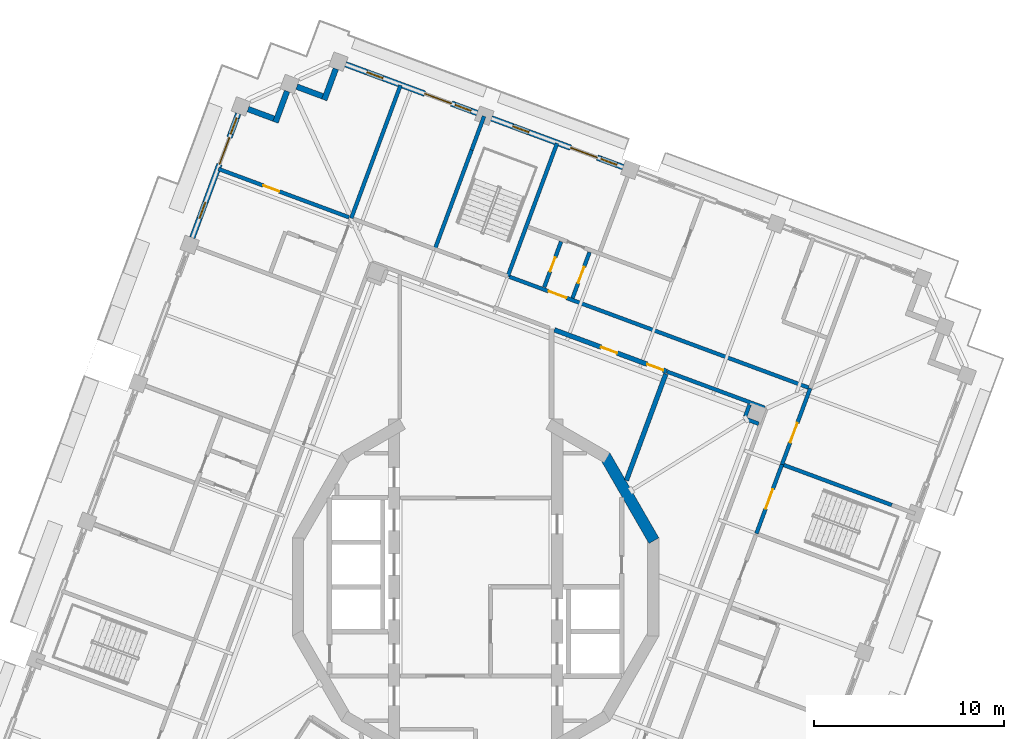
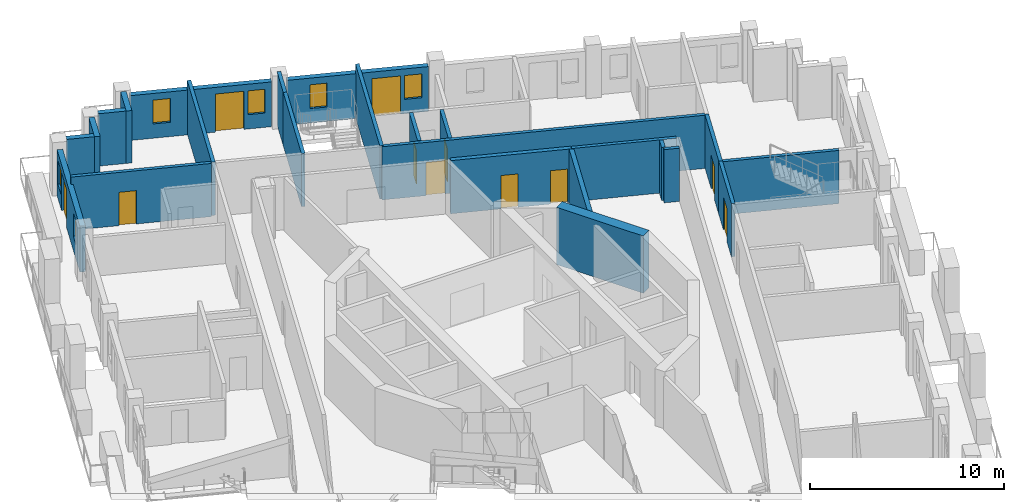
# One storey, part 10 of 19: 24 walls, 11 doors, 6 windows, 17 openings.
"""IFC4 building model written with IfcOpenShell, lengths in metres."""

from ifc_helpers import new_model, si_unit, direction, frame, frame_2d, origin, place, context, subcontext, project, spatial, rectangle, extrude, material, layer, layer_set, type_object, element, fill, save


model = new_model("IFC4")

# Units and contexts
model_context = context("Model", 3, precision=1e-05, world=origin(), true_north=direction((0.0, 1.0)))
body_context = subcontext(model_context, "Body", "Model", "MODEL_VIEW")
ifc_project = project(units=[si_unit("LENGTHUNIT", "METRE"), si_unit("AREAUNIT", "SQUARE_METRE"), si_unit("VOLUMEUNIT", "CUBIC_METRE"), si_unit("PLANEANGLEUNIT", "RADIAN"), si_unit("MASSUNIT", "GRAM", prefix="KILO")], contexts=[model_context])

# Site, building, storey
site_placement = place(None, origin())
site = spatial("IfcSite", under=ifc_project, at=site_placement, CompositionType="ELEMENT")
building_placement = place(site_placement, origin())
building = spatial("IfcBuilding", under=site, at=building_placement, Name="Cantera Rosa Tower", CompositionType="ELEMENT")
storey_placement = place(building_placement, frame((0.0, 0.0, 324.10009765625)))
storey = spatial("IfcBuildingStorey", under=building, at=storey_placement, Name="L72", CompositionType="ELEMENT", Elevation=324.10009765625)

# Wall
ifc_material_1 = material(Name="Gypsum board partition")
ifc_layer_1 = layer(ifc_material_1, 0.199951171875)
ifc_layer_set_1 = layer_set([ifc_layer_1], Name="CORRIDOR WALL 200 H3350")
wall_type_1 = type_object("IfcWallType", Name="CORRIDOR WALL 200 H3350", PredefinedType="PARTITIONING", material=ifc_layer_set_1)
wall_1_placement = place(storey_placement, frame((15.2314453125, 9.446044921875, 0.0), z_axis=(0.0, 0.0, 1.0), x_axis=(-0.93769339426, 0.347463808706, 0.0)))
element("IfcWall", 1, at=wall_1_placement, inside=storey, type_object=wall_type_1, Name="CORRIDOR WALL L72-099", PredefinedType="PARTITIONING", context=body_context, shape_type="SweptSolid", body=[
    extrude(rectangle(XDim=5.47998046875, YDim=0.199951171875, at=frame_2d((2.739990234375, 0.0))), origin(), (0.0, 0.0, 1.0), 3.349853515625),
])

# Wall, opening, door
wall_2_placement = place(storey_placement, frame((16.1513671875, 6.460205078125, 0.0), z_axis=(0.0, 0.0, 1.0), x_axis=(0.347438825371, 0.937702651497, 0.0)))
wall_2 = element("IfcWall", 2, at=wall_2_placement, inside=storey, type_object=wall_type_1, Name="CORRIDOR WALL L72-102", PredefinedType="PARTITIONING", context=body_context, shape_type="SweptSolid", body=[
    extrude(rectangle(XDim=4.280029296875, YDim=0.199951171875, at=frame_2d((2.14013671875, 0.0))), origin(), (0.0, 0.0, 1.0), 3.349853515625),
])
opening_1_placement = place(wall_2_placement, frame((1.22998046875, 0.0, 0.0)))
opening_1 = element("IfcOpeningElement", 3, at=opening_1_placement, cuts=wall_2, Name="Opening L72-046", PredefinedType="OPENING", context=body_context, shape_type="SweptSolid", body=[
    extrude(rectangle(XDim=1.10009765625, YDim=2.10009765625, at=frame_2d((0.550048828125, 1.050048828125))), frame((0.0, 0.10986328125, 0.0), z_axis=(0.0, -1.0, 0.0), x_axis=(1.0, 0.0, 0.0)), (0.0, 0.0, 1.0), 0.219970703125),
])
ifc_material_2 = material(Name="Timber door leaf", Category="wood")
door_type_1 = type_object("IfcDoorType", Name="ROOM DOOR 1100x2100", OperationType="NOTDEFINED", PredefinedType="DOOR", material=ifc_material_2)
door_1_placement = place(opening_1_placement, origin())
door_1 = element("IfcDoor", 4, at=door_1_placement, inside=storey, type_object=door_type_1, Name="DOOR L72-046", OperationType="NOTDEFINED", OverallHeight=2.10009765625, OverallWidth=1.10009765625, PredefinedType="DOOR", context=body_context, shape_type="SweptSolid", body=[
    extrude(rectangle(XDim=1.10009765625, YDim=2.10009765625, at=frame_2d((0.550048828125, 1.050048828125))), frame((0.0, 0.02490234375, 0.0), z_axis=(0.0, -1.0, 0.0), x_axis=(1.0, 0.0, 0.0)), (0.0, 0.0, 1.0), 0.050048828125),
])
fill(opening_1, door_1)

wall_3_placement = place(storey_placement, frame((17.544677734375, 10.50830078125, 0.0), z_axis=(0.0, 0.0, 1.0), x_axis=(-0.937684617113, 0.347487494493, 0.0)))
wall_3 = element("IfcWall", 5, at=wall_3_placement, inside=storey, type_object=wall_type_1, Name="CORRIDOR WALL L72-104", PredefinedType="PARTITIONING", context=body_context, shape_type="SweptSolid", body=[
    extrude(rectangle(XDim=16.900146484375, YDim=0.199951171875, at=frame_2d((8.4501953125, 0.0))), origin(), (0.0, 0.0, 1.0), 3.349853515625),
])
opening_2_placement = place(wall_3_placement, frame((13.60009765625, 0.0, 0.0)))
opening_2 = element("IfcOpeningElement", 6, at=opening_2_placement, cuts=wall_3, Name="Opening L72-020", PredefinedType="OPENING", context=body_context, shape_type="SweptSolid", body=[
    extrude(rectangle(XDim=1.0, YDim=2.10009765625, at=frame_2d((0.5, 1.050048828125))), frame((0.0, 0.10986328125, 0.0), z_axis=(0.0, -1.0, 0.0), x_axis=(1.0, 0.0, 0.0)), (0.0, 0.0, 1.0), 0.219970703125),
])
ifc_material_3 = material(Name="Timber door leaf", Category="wood")
door_type_2 = type_object("IfcDoorType", Name="ENTRANCE DOOR 1000x2100", OperationType="NOTDEFINED", PredefinedType="DOOR", material=ifc_material_3)
door_2_placement = place(opening_2_placement, origin())
door_2 = element("IfcDoor", 7, at=door_2_placement, inside=storey, type_object=door_type_2, Name="DOOR L72-020", OperationType="NOTDEFINED", OverallHeight=2.10009765625, OverallWidth=1.0, PredefinedType="DOOR", context=body_context, shape_type="SweptSolid", body=[
    extrude(rectangle(XDim=1.0, YDim=2.10009765625, at=frame_2d((0.5, 1.050048828125))), frame((0.0, 0.02490234375, 0.0), z_axis=(0.0, -1.0, 0.0), x_axis=(1.0, 0.0, 0.0)), (0.0, 0.0, 1.0), 0.050048828125),
])
fill(opening_2, door_2)

# Walls
ifc_material_4 = material(Name="Hollow clay masonry with cantera stone cladding", Category="masonry")
ifc_layer_2 = layer(ifc_material_4, 0.300048828125)
ifc_layer_set_2 = layer_set([ifc_layer_2], Name="EW-LOGGIA 300")
wall_type_2 = type_object("IfcWallType", Name="EW-LOGGIA 300", PredefinedType="SOLIDWALL", material=ifc_layer_set_2)
wall_4_placement = place(storey_placement, frame((-7.36865234375, 27.312255859375, 0.0), z_axis=(0.0, 0.0, 1.0), x_axis=(-0.34752790836, -0.937669639538, 0.0)))
element("IfcWall", 8, at=wall_4_placement, inside=storey, type_object=wall_type_2, Name="EN-L72-W05a", PredefinedType="SOLIDWALL", context=body_context, shape_type="SweptSolid", body=[
    extrude(rectangle(XDim=1.75, YDim=0.300048828125, at=frame_2d((0.875, 0.0))), origin(), (0.0, 0.0, 1.0), 3.2998046875),
])
wall_5_placement = place(storey_placement, frame((-8.065185546875, 25.8642578125, 0.0), z_axis=(0.0, 0.0, 1.0), x_axis=(-0.937671557958, 0.347522732201, 0.0)))
element("IfcWall", 9, at=wall_5_placement, inside=storey, type_object=wall_type_2, Name="EN-L72-W05b", PredefinedType="SOLIDWALL", context=body_context, shape_type="SweptSolid", body=[
    extrude(rectangle(XDim=1.449951171875, YDim=0.300048828125, at=frame_2d((0.72509765625, 0.0))), origin(), (0.0, 0.0, 1.0), 3.2998046875),
])
wall_6_placement = place(storey_placement, frame((-9.93896484375, 26.132080078125, 0.0), z_axis=(0.0, 0.0, 1.0), x_axis=(-0.34748245117, -0.937686486054, 0.0)))
element("IfcWall", 10, at=wall_6_placement, inside=storey, type_object=wall_type_2, Name="EN-L72-W06a", PredefinedType="SOLIDWALL", context=body_context, shape_type="SweptSolid", body=[
    extrude(rectangle(XDim=1.750244140625, YDim=0.300048828125, at=frame_2d((0.875, 0.0))), origin(), (0.0, 0.0, 1.0), 3.2998046875),
])
wall_7_placement = place(storey_placement, frame((-10.635498046875, 24.683837890625, 0.0), z_axis=(0.0, 0.0, 1.0), x_axis=(-0.937671557958, 0.347522732201, 0.0)))
element("IfcWall", 11, at=wall_7_placement, inside=storey, type_object=wall_type_2, Name="EN-L72-W06b", PredefinedType="SOLIDWALL", context=body_context, shape_type="SweptSolid", body=[
    extrude(rectangle(XDim=1.449951171875, YDim=0.300048828125, at=frame_2d((0.72509765625, 0.0))), origin(), (0.0, 0.0, 1.0), 3.2998046875),
])

# Wall, openings, windows, door
ifc_material_5 = material(Name="Hollow clay masonry with cantera stone cladding", Category="masonry")
ifc_layer_3 = layer(ifc_material_5, 0.300048828125)
ifc_layer_set_3 = layer_set([ifc_layer_3], Name="EW-LOGGIA 300 H2820")
wall_type_3 = type_object("IfcWallType", Name="EW-LOGGIA 300 H2820", PredefinedType="SOLIDWALL", material=ifc_layer_set_3)
wall_8_placement = place(storey_placement, frame((7.7734375, 22.127685546875, 0.0), z_axis=(0.0, 0.0, 1.0), x_axis=(-0.937680690562, 0.34749808999, 0.0)))
wall_8 = element("IfcWall", 12, at=wall_8_placement, inside=storey, type_object=wall_type_3, Name="EN-L72-W03", PredefinedType="SOLIDWALL", context=body_context, shape_type="SweptSolid", body=[
    extrude(rectangle(XDim=7.400146484375, YDim=0.300048828125, at=frame_2d((3.7001953125, 0.0))), origin(), (0.0, 0.0, 1.0), 2.81982421875),
])
opening_3_placement = place(wall_8_placement, frame((0.35009765625, 0.0, 0.89990234375)))
opening_3 = element("IfcOpeningElement", 13, at=opening_3_placement, cuts=wall_8, Name="Opening L72-W07", PredefinedType="OPENING", context=body_context, shape_type="SweptSolid", body=[
    extrude(rectangle(XDim=0.89990234375, YDim=1.5, at=frame_2d((0.449951171875, 0.75))), frame((0.0, 0.159912109375, 0.0), z_axis=(0.0, -1.0, 0.0), x_axis=(1.0, 0.0, 0.0)), (0.0, 0.0, 1.0), 0.320068359375),
])
opening_4_placement = place(wall_8_placement, frame((1.449951171875, 0.0, 0.0)))
opening_4 = element("IfcOpeningElement", 14, at=opening_4_placement, cuts=wall_8, Name="Opening L72-TD08", PredefinedType="OPENING", context=body_context, shape_type="SweptSolid", body=[
    extrude(rectangle(XDim=1.5, YDim=2.39990234375, at=frame_2d((0.75, 1.199951171875))), frame((0.0, 0.159912109375, 0.0), z_axis=(0.0, -1.0, 0.0), x_axis=(1.0, 0.0, 0.0)), (0.0, 0.0, 1.0), 0.320068359375),
])
opening_5_placement = place(wall_8_placement, frame((5.300048828125, 0.0, 0.89990234375)))
opening_5 = element("IfcOpeningElement", 15, at=opening_5_placement, cuts=wall_8, Name="Opening L72-W09", PredefinedType="OPENING", context=body_context, shape_type="SweptSolid", body=[
    extrude(rectangle(XDim=0.89990234375, YDim=1.5, at=frame_2d((0.449951171875, 0.75))), frame((0.0, 0.159912109375, 0.0), z_axis=(0.0, -1.0, 0.0), x_axis=(1.0, 0.0, 0.0)), (0.0, 0.0, 1.0), 0.320068359375),
])
ifc_material_6 = material(Name="Aluminium frame with clear glass", Category="aluminium")
window_type = type_object("IfcWindowType", Name="Residential window 900x1500", PartitioningType="SINGLE_PANEL", PredefinedType="WINDOW", material=ifc_material_6)
window_1_placement = place(opening_3_placement, origin())
window_1 = element("IfcWindow", 16, at=window_1_placement, inside=storey, type_object=window_type, Name="WINDOW L72-W07", OverallHeight=1.5, OverallWidth=0.89990234375, PartitioningType="SINGLE_PANEL", PredefinedType="WINDOW", context=body_context, shape_type="SweptSolid", body=[
    extrude(rectangle(XDim=0.89990234375, YDim=1.5, at=frame_2d((0.449951171875, 0.75))), frame((0.0, 0.030029296875, 0.0), z_axis=(0.0, -1.0, 0.0), x_axis=(1.0, 0.0, 0.0)), (0.0, 0.0, 1.0), 0.06005859375),
])
fill(opening_3, window_1)
window_2_placement = place(opening_5_placement, origin())
window_2 = element("IfcWindow", 17, at=window_2_placement, inside=storey, type_object=window_type, Name="WINDOW L72-W09", OverallHeight=1.5, OverallWidth=0.89990234375, PartitioningType="SINGLE_PANEL", PredefinedType="WINDOW", context=body_context, shape_type="SweptSolid", body=[
    extrude(rectangle(XDim=0.89990234375, YDim=1.5, at=frame_2d((0.449951171875, 0.75))), frame((0.0, 0.030029296875, 0.0), z_axis=(0.0, -1.0, 0.0), x_axis=(1.0, 0.0, 0.0)), (0.0, 0.0, 1.0), 0.06005859375),
])
fill(opening_5, window_2)
ifc_material_7 = material(Name="Aluminium frame with clear glass", Category="aluminium")
door_type_3 = type_object("IfcDoorType", Name="TD-R 1500x2400", OperationType="NOTDEFINED", PredefinedType="DOOR", material=ifc_material_7)
door_3_placement = place(opening_4_placement, origin())
door_3 = element("IfcDoor", 18, at=door_3_placement, inside=storey, type_object=door_type_3, Name="LOGGIA DOOR L72-TD08", OperationType="SLIDING_TO_LEFT", OverallHeight=2.39990234375, OverallWidth=1.5, PredefinedType="DOOR", context=body_context, shape_type="SweptSolid", body=[
    extrude(rectangle(XDim=1.5, YDim=2.39990234375, at=frame_2d((0.75, 1.199951171875))), frame((0.0, 0.02490234375, 0.0), z_axis=(0.0, -1.0, 0.0), x_axis=(1.0, 0.0, 0.0)), (0.0, 0.0, 1.0), 0.050048828125),
])
fill(opening_4, door_3)

wall_9_placement = place(storey_placement, frame((0.084228515625, 24.97705078125, 0.0), z_axis=(0.0, 0.0, 1.0), x_axis=(-0.937687456783, 0.347479831633, 0.0)))
wall_9 = element("IfcWall", 19, at=wall_9_placement, inside=storey, type_object=wall_type_3, Name="EN-L72-W04", PredefinedType="SOLIDWALL", context=body_context, shape_type="SweptSolid", body=[
    extrude(rectangle(XDim=7.39990234375, YDim=0.300048828125, at=frame_2d((3.699951171875, 0.0))), origin(), (0.0, 0.0, 1.0), 2.81982421875),
])
opening_6_placement = place(wall_9_placement, frame((0.35009765625, 0.0, 0.89990234375)))
opening_6 = element("IfcOpeningElement", 20, at=opening_6_placement, cuts=wall_9, Name="Opening L72-W10", PredefinedType="OPENING", context=body_context, shape_type="SweptSolid", body=[
    extrude(rectangle(XDim=0.89990234375, YDim=1.5, at=frame_2d((0.449951171875, 0.75))), frame((0.0, 0.159912109375, 0.0), z_axis=(0.0, -1.0, 0.0), x_axis=(1.0, 0.0, 0.0)), (0.0, 0.0, 1.0), 0.320068359375),
])
opening_7_placement = place(wall_9_placement, frame((1.449951171875, 0.0, 0.0)))
opening_7 = element("IfcOpeningElement", 21, at=opening_7_placement, cuts=wall_9, Name="Opening L72-TD11", PredefinedType="OPENING", context=body_context, shape_type="SweptSolid", body=[
    extrude(rectangle(XDim=1.5, YDim=2.39990234375, at=frame_2d((0.75, 1.199951171875))), frame((0.0, 0.159912109375, 0.0), z_axis=(0.0, -1.0, 0.0), x_axis=(1.0, 0.0, 0.0)), (0.0, 0.0, 1.0), 0.320068359375),
])
opening_8_placement = place(wall_9_placement, frame((5.300048828125, 0.0, 0.89990234375)))
opening_8 = element("IfcOpeningElement", 22, at=opening_8_placement, cuts=wall_9, Name="Opening L72-W12", PredefinedType="OPENING", context=body_context, shape_type="SweptSolid", body=[
    extrude(rectangle(XDim=0.89990234375, YDim=1.5, at=frame_2d((0.449951171875, 0.75))), frame((0.0, 0.159912109375, 0.0), z_axis=(0.0, -1.0, 0.0), x_axis=(1.0, 0.0, 0.0)), (0.0, 0.0, 1.0), 0.320068359375),
])
window_3_placement = place(opening_6_placement, origin())
window_3 = element("IfcWindow", 23, at=window_3_placement, inside=storey, type_object=window_type, Name="WINDOW L72-W10", OverallHeight=1.5, OverallWidth=0.89990234375, PartitioningType="SINGLE_PANEL", PredefinedType="WINDOW", context=body_context, shape_type="SweptSolid", body=[
    extrude(rectangle(XDim=0.89990234375, YDim=1.5, at=frame_2d((0.449951171875, 0.75))), frame((0.0, 0.030029296875, 0.0), z_axis=(0.0, -1.0, 0.0), x_axis=(1.0, 0.0, 0.0)), (0.0, 0.0, 1.0), 0.06005859375),
])
fill(opening_6, window_3)
window_4_placement = place(opening_8_placement, origin())
window_4 = element("IfcWindow", 24, at=window_4_placement, inside=storey, type_object=window_type, Name="WINDOW L72-W12", OverallHeight=1.5, OverallWidth=0.89990234375, PartitioningType="SINGLE_PANEL", PredefinedType="WINDOW", context=body_context, shape_type="SweptSolid", body=[
    extrude(rectangle(XDim=0.89990234375, YDim=1.5, at=frame_2d((0.449951171875, 0.75))), frame((0.0, 0.030029296875, 0.0), z_axis=(0.0, -1.0, 0.0), x_axis=(1.0, 0.0, 0.0)), (0.0, 0.0, 1.0), 0.06005859375),
])
fill(opening_8, window_4)
door_4_placement = place(opening_7_placement, origin())
door_4 = element("IfcDoor", 25, at=door_4_placement, inside=storey, type_object=door_type_3, Name="LOGGIA DOOR L72-TD11", OperationType="SLIDING_TO_LEFT", OverallHeight=2.39990234375, OverallWidth=1.5, PredefinedType="DOOR", context=body_context, shape_type="SweptSolid", body=[
    extrude(rectangle(XDim=1.5, YDim=2.39990234375, at=frame_2d((0.75, 1.199951171875))), frame((0.0, 0.02490234375, 0.0), z_axis=(0.0, -1.0, 0.0), x_axis=(1.0, 0.0, 0.0)), (0.0, 0.0, 1.0), 0.050048828125),
])
fill(opening_7, door_4)

ifc_material_8 = material(Name="Hollow clay masonry with cantera stone cladding", Category="masonry")
ifc_layer_4 = layer(ifc_material_8, 0.300048828125)
ifc_layer_set_4 = layer_set([ifc_layer_4], Name="EW-LOGGIA 300 H2890")
wall_type_4 = type_object("IfcWallType", Name="EW-LOGGIA 300 H2890", PredefinedType="SOLIDWALL", material=ifc_layer_set_4)
wall_10_placement = place(storey_placement, frame((-12.50927734375, 24.95166015625, 0.0), z_axis=(0.0, 0.0, 1.0), x_axis=(-0.347490919506, -0.937683347864, 0.0)))
wall_10 = element("IfcWall", 26, at=wall_10_placement, inside=storey, type_object=wall_type_4, Name="EN-L72-W07", PredefinedType="SOLIDWALL", context=body_context, shape_type="SweptSolid", body=[
    extrude(rectangle(XDim=6.980224609375, YDim=0.300048828125, at=frame_2d((3.490234375, 0.0))), origin(), (0.0, 0.0, 1.0), 2.889892578125),
])
opening_9_placement = place(wall_10_placement, frame((0.2451171875, 0.0, 0.89990234375)))
opening_9 = element("IfcOpeningElement", 27, at=opening_9_placement, cuts=wall_10, Name="Opening L72-W13", PredefinedType="OPENING", context=body_context, shape_type="SweptSolid", body=[
    extrude(rectangle(XDim=0.89990234375, YDim=1.5, at=frame_2d((0.449951171875, 0.75))), frame((0.0, 0.159912109375, 0.0), z_axis=(0.0, -1.0, 0.0), x_axis=(1.0, 0.0, 0.0)), (0.0, 0.0, 1.0), 0.320068359375),
])
opening_10_placement = place(wall_10_placement, frame((1.344970703125, 0.0, 0.0)))
opening_10 = element("IfcOpeningElement", 28, at=opening_10_placement, cuts=wall_10, Name="Opening L72-TD14", PredefinedType="OPENING", context=body_context, shape_type="SweptSolid", body=[
    extrude(rectangle(XDim=1.5, YDim=2.39990234375, at=frame_2d((0.75, 1.199951171875))), frame((0.0, 0.159912109375, 0.0), z_axis=(0.0, -1.0, 0.0), x_axis=(1.0, 0.0, 0.0)), (0.0, 0.0, 1.0), 0.320068359375),
])
opening_11_placement = place(wall_10_placement, frame((4.985107421875, 0.0, 0.89990234375)))
opening_11 = element("IfcOpeningElement", 29, at=opening_11_placement, cuts=wall_10, Name="Opening L72-W15", PredefinedType="OPENING", context=body_context, shape_type="SweptSolid", body=[
    extrude(rectangle(XDim=0.89990234375, YDim=1.5, at=frame_2d((0.449951171875, 0.75))), frame((0.0, 0.159912109375, 0.0), z_axis=(0.0, -1.0, 0.0), x_axis=(1.0, 0.0, 0.0)), (0.0, 0.0, 1.0), 0.320068359375),
])
window_5_placement = place(opening_9_placement, origin())
window_5 = element("IfcWindow", 30, at=window_5_placement, inside=storey, type_object=window_type, Name="WINDOW L72-W13", OverallHeight=1.5, OverallWidth=0.89990234375, PartitioningType="SINGLE_PANEL", PredefinedType="WINDOW", context=body_context, shape_type="SweptSolid", body=[
    extrude(rectangle(XDim=0.89990234375, YDim=1.5, at=frame_2d((0.449951171875, 0.75))), frame((0.0, 0.030029296875, 0.0), z_axis=(0.0, -1.0, 0.0), x_axis=(1.0, 0.0, 0.0)), (0.0, 0.0, 1.0), 0.06005859375),
])
fill(opening_9, window_5)
window_6_placement = place(opening_11_placement, origin())
window_6 = element("IfcWindow", 31, at=window_6_placement, inside=storey, type_object=window_type, Name="WINDOW L72-W15", OverallHeight=1.5, OverallWidth=0.89990234375, PartitioningType="SINGLE_PANEL", PredefinedType="WINDOW", context=body_context, shape_type="SweptSolid", body=[
    extrude(rectangle(XDim=0.89990234375, YDim=1.5, at=frame_2d((0.449951171875, 0.75))), frame((0.0, 0.030029296875, 0.0), z_axis=(0.0, -1.0, 0.0), x_axis=(1.0, 0.0, 0.0)), (0.0, 0.0, 1.0), 0.06005859375),
])
fill(opening_11, window_6)
door_5_placement = place(opening_10_placement, origin())
door_5 = element("IfcDoor", 32, at=door_5_placement, inside=storey, type_object=door_type_3, Name="LOGGIA DOOR L72-TD14", OperationType="SLIDING_TO_LEFT", OverallHeight=2.39990234375, OverallWidth=1.5, PredefinedType="DOOR", context=body_context, shape_type="SweptSolid", body=[
    extrude(rectangle(XDim=1.5, YDim=2.39990234375, at=frame_2d((0.75, 1.199951171875))), frame((0.0, 0.02490234375, 0.0), z_axis=(0.0, -1.0, 0.0), x_axis=(1.0, 0.0, 0.0)), (0.0, 0.0, 1.0), 0.050048828125),
])
fill(opening_10, door_5)

# Wall, opening, door
ifc_material_9 = material(Name="Gypsum board partition")
ifc_layer_5 = layer(ifc_material_9, 0.199951171875)
ifc_layer_set_5 = layer_set([ifc_layer_5], Name="PARTITION 200 H3350")
wall_type_5 = type_object("IfcWallType", Name="PARTITION 200 H3350", PredefinedType="PARTITIONING", material=ifc_layer_set_5)
wall_11_placement = place(storey_placement, frame((-6.66650390625, 19.480224609375, 0.0), z_axis=(0.0, 0.0, 1.0), x_axis=(-0.937685837181, 0.347484202159, 0.0)))
wall_11 = element("IfcWall", 33, at=wall_11_placement, inside=storey, type_object=wall_type_5, Name="PARTITION L72-038", PredefinedType="PARTITIONING", context=body_context, shape_type="SweptSolid", body=[
    extrude(rectangle(XDim=7.349853515625, YDim=0.199951171875, at=frame_2d((3.6748046875, 0.0))), origin(), (0.0, 0.0, 1.0), 3.349853515625),
])
opening_12_placement = place(wall_11_placement, frame((3.929931640625, 0.0, 0.0)))
opening_12 = element("IfcOpeningElement", 34, at=opening_12_placement, cuts=wall_11, Name="Opening L72-035", PredefinedType="OPENING", context=body_context, shape_type="SweptSolid", body=[
    extrude(rectangle(XDim=0.89990234375, YDim=2.10009765625, at=frame_2d((0.449951171875, 1.050048828125))), frame((0.0, 0.10986328125, 0.0), z_axis=(0.0, -1.0, 0.0), x_axis=(1.0, 0.0, 0.0)), (0.0, 0.0, 1.0), 0.219970703125),
])
ifc_material_10 = material(Name="Timber door leaf", Category="wood")
door_type_4 = type_object("IfcDoorType", Name="ROOM DOOR 900x2100", OperationType="NOTDEFINED", PredefinedType="DOOR", material=ifc_material_10)
door_6_placement = place(opening_12_placement, origin())
door_6 = element("IfcDoor", 35, at=door_6_placement, inside=storey, type_object=door_type_4, Name="DOOR L72-035", OperationType="NOTDEFINED", OverallHeight=2.10009765625, OverallWidth=0.89990234375, PredefinedType="DOOR", context=body_context, shape_type="SweptSolid", body=[
    extrude(rectangle(XDim=0.89990234375, YDim=2.10009765625, at=frame_2d((0.449951171875, 1.050048828125))), frame((0.0, 0.02490234375, 0.0), z_axis=(0.0, -1.0, 0.0), x_axis=(1.0, 0.0, 0.0)), (0.0, 0.0, 1.0), 0.050048828125),
])
fill(opening_12, door_6)

wall_12_placement = place(storey_placement, frame((4.50439453125, 18.19873046875, 0.0), z_axis=(0.0, 0.0, 1.0), x_axis=(-0.347441707582, -0.937701583571, 0.0)))
wall_12 = element("IfcWall", 36, at=wall_12_placement, inside=storey, type_object=wall_type_5, Name="PARTITION L72-072", PredefinedType="PARTITIONING", context=body_context, shape_type="SweptSolid", body=[
    extrude(rectangle(XDim=2.559814453125, YDim=0.199951171875, at=frame_2d((1.27978515625, 0.0))), origin(), (0.0, 0.0, 1.0), 3.349853515625),
])
opening_13_placement = place(wall_12_placement, frame((0.8798828125, 0.0, 0.0)))
opening_13 = element("IfcOpeningElement", 37, at=opening_13_placement, cuts=wall_12, Name="Opening L72-021", PredefinedType="OPENING", context=body_context, shape_type="SweptSolid", body=[
    extrude(rectangle(XDim=0.800048828125, YDim=2.10009765625, at=frame_2d((0.39990234375, 1.050048828125))), frame((0.0, 0.10986328125, 0.0), z_axis=(0.0, -1.0, 0.0), x_axis=(1.0, 0.0, 0.0)), (0.0, 0.0, 1.0), 0.219970703125),
])
ifc_material_11 = material(Name="Timber door leaf", Category="wood")
door_type_5 = type_object("IfcDoorType", Name="BATHROOM DOOR 800x2100", OperationType="NOTDEFINED", PredefinedType="DOOR", material=ifc_material_11)
door_7_placement = place(opening_13_placement, origin())
door_7 = element("IfcDoor", 38, at=door_7_placement, inside=storey, type_object=door_type_5, Name="DOOR L72-021", OperationType="NOTDEFINED", OverallHeight=2.10009765625, OverallWidth=0.800048828125, PredefinedType="DOOR", context=body_context, shape_type="SweptSolid", body=[
    extrude(rectangle(XDim=0.800048828125, YDim=2.10009765625, at=frame_2d((0.39990234375, 1.050048828125))), frame((0.0, 0.02490234375, 0.0), z_axis=(0.0, -1.0, 0.0), x_axis=(1.0, 0.0, 0.0)), (0.0, 0.0, 1.0), 0.050048828125),
])
fill(opening_13, door_7)

wall_13_placement = place(storey_placement, frame((6.004638671875, 17.642822265625, 0.0), z_axis=(0.0, 0.0, 1.0), x_axis=(-0.34748078016, -0.937687105286, 0.0)))
wall_13 = element("IfcWall", 39, at=wall_13_placement, inside=storey, type_object=wall_type_5, Name="PARTITION L72-080", PredefinedType="PARTITIONING", context=body_context, shape_type="SweptSolid", body=[
    extrude(rectangle(XDim=2.579833984375, YDim=0.199951171875, at=frame_2d((1.2900390625, 0.0))), origin(), (0.0, 0.0, 1.0), 3.349853515625),
])
opening_14_placement = place(wall_13_placement, frame((0.830078125, 0.0, 0.0)))
opening_14 = element("IfcOpeningElement", 40, at=opening_14_placement, cuts=wall_13, Name="Opening L72-022", PredefinedType="OPENING", context=body_context, shape_type="SweptSolid", body=[
    extrude(rectangle(XDim=0.89990234375, YDim=2.10009765625, at=frame_2d((0.449951171875, 1.050048828125))), frame((0.0, 0.10986328125, 0.0), z_axis=(0.0, -1.0, 0.0), x_axis=(1.0, 0.0, 0.0)), (0.0, 0.0, 1.0), 0.219970703125),
])
door_8_placement = place(opening_14_placement, origin())
door_8 = element("IfcDoor", 41, at=door_8_placement, inside=storey, type_object=door_type_4, Name="DOOR L72-022", OperationType="NOTDEFINED", OverallHeight=2.10009765625, OverallWidth=0.89990234375, PredefinedType="DOOR", context=body_context, shape_type="SweptSolid", body=[
    extrude(rectangle(XDim=0.89990234375, YDim=2.10009765625, at=frame_2d((0.449951171875, 1.050048828125))), frame((0.0, 0.02490234375, 0.0), z_axis=(0.0, -1.0, 0.0), x_axis=(1.0, 0.0, 0.0)), (0.0, 0.0, 1.0), 0.050048828125),
])
fill(opening_14, door_8)

# Walls
wall_14_placement = place(storey_placement, frame((14.16845703125, 8.8798828125, 0.0), z_axis=(0.0, 0.0, 1.0), x_axis=(0.937763484234, -0.347274599759, 0.0)))
element("IfcWall", 42, at=wall_14_placement, inside=storey, type_object=wall_type_5, Name="PARTITION L72-095", PredefinedType="PARTITIONING", context=body_context, shape_type="SweptSolid", body=[
    extrude(rectangle(XDim=0.800048828125, YDim=0.199951171875, at=frame_2d((0.39990234375, 0.0))), origin(), (0.0, 0.0, 1.0), 3.349853515625),
])
wall_15_placement = place(storey_placement, frame((14.439697265625, 9.611328125, 0.0), z_axis=(0.0, 0.0, 1.0), x_axis=(-0.347796331394, -0.937570110375, 0.0)))
element("IfcWall", 43, at=wall_15_placement, inside=storey, type_object=wall_type_5, Name="PARTITION L72-096", PredefinedType="PARTITIONING", context=body_context, shape_type="SweptSolid", body=[
    extrude(rectangle(XDim=0.659912109375, YDim=0.199951171875, at=frame_2d((0.330078125, 0.0))), origin(), (0.0, 0.0, 1.0), 3.349853515625),
])
ifc_material_12 = material(Name="Gypsum board partition")
ifc_layer_6 = layer(ifc_material_12, 0.199951171875)
ifc_layer_set_6 = layer_set([ifc_layer_6], Name="PARTY WALL 200 H3350")
wall_type_6 = type_object("IfcWallType", Name="PARTY WALL 200 H3350", PredefinedType="PARTITIONING", material=ifc_layer_set_6)
wall_16_placement = place(storey_placement, frame((-6.5537109375, 19.438720703125, 0.0), z_axis=(0.0, 0.0, 1.0), x_axis=(0.347460186276, 0.93769473655, 0.0)))
element("IfcWall", 44, at=wall_16_placement, inside=storey, type_object=wall_type_6, Name="PARTY WALL L72-039", PredefinedType="PARTITIONING", context=body_context, shape_type="SweptSolid", body=[
    extrude(rectangle(XDim=7.4697265625, YDim=0.199951171875, at=frame_2d((3.73486328125, 0.0))), origin(), (0.0, 0.0, 1.0), 3.349853515625),
])
ifc_material_13 = material(Name="Concrete C50/60", Category="concrete")
ifc_layer_7 = layer(ifc_material_13, 0.60009765625)
ifc_layer_set_7 = layer_set([ifc_layer_7], Name="RC CORE WALL 600 C50/60")
wall_type_7 = type_object("IfcWallType", Name="RC CORE WALL 600 C50/60", PredefinedType="SHEAR", material=ifc_layer_set_7)
wall_17_placement = place(storey_placement, frame((6.811279296875, 6.921142578125, 0.0), z_axis=(0.0, 0.0, 1.0), x_axis=(0.499989188378, -0.866031645787, 0.0)))
element("IfcWall", 45, at=wall_17_placement, inside=storey, type_object=wall_type_7, Name="CW-E2 L72", PredefinedType="SHEAR", context=body_context, shape_type="SweptSolid", body=[
    extrude(rectangle(XDim=5.17626953125, YDim=0.60009765625, at=frame_2d((2.588134765625, 0.0))), origin(), (0.0, 0.0, 1.0), 3.599853515625),
])
ifc_material_14 = material(Name="Masonry blockwork", Category="masonry")
ifc_layer_8 = layer(ifc_material_14, 0.25)
ifc_layer_set_8 = layer_set([ifc_layer_8], Name="SHAFT WALL 250 H3350")
wall_type_8 = type_object("IfcWallType", Name="SHAFT WALL 250 H3350", PredefinedType="SOLIDWALL", material=ifc_layer_set_8)
wall_18_placement = place(storey_placement, frame((7.9462890625, 5.614990234375, 0.0), z_axis=(0.0, 0.0, 1.0), x_axis=(0.347463184848, 0.937693625432, 0.0)))
element("IfcWall", 46, at=wall_18_placement, inside=storey, type_object=wall_type_8, Name="SHAFT WALL L72-086", PredefinedType="SOLIDWALL", context=body_context, shape_type="SweptSolid", body=[
    extrude(rectangle(XDim=5.983642578125, YDim=0.25, at=frame_2d((2.99169921875, 0.0))), origin(), (0.0, 0.0, 1.0), 3.349853515625),
])

# Wall, openings, doors
wall_19_placement = place(storey_placement, frame((10.07421875, 11.357177734375, 0.0), z_axis=(0.0, 0.0, 1.0), x_axis=(-0.937690947625, 0.347470411318, 0.0)))
wall_19 = element("IfcWall", 47, at=wall_19_placement, inside=storey, type_object=wall_type_8, Name="SHAFT WALL L72-089", PredefinedType="SOLIDWALL", context=body_context, shape_type="SweptSolid", body=[
    extrude(rectangle(XDim=6.31787109375, YDim=0.25, at=frame_2d((3.158935546875, 0.0))), origin(), (0.0, 0.0, 1.0), 3.349853515625),
])
opening_15_placement = place(wall_19_placement, frame((0.19775390625, 0.0, 0.0)))
opening_15 = element("IfcOpeningElement", 48, at=opening_15_placement, cuts=wall_19, Name="Opening L72-008", PredefinedType="OPENING", context=body_context, shape_type="SweptSolid", body=[
    extrude(rectangle(XDim=0.89990234375, YDim=2.10009765625, at=frame_2d((0.449951171875, 1.050048828125))), frame((0.0, 0.135009765625, 0.0), z_axis=(0.0, -1.0, 0.0), x_axis=(1.0, 0.0, 0.0)), (0.0, 0.0, 1.0), 0.27001953125),
])
opening_16_placement = place(wall_19_placement, frame((2.788818359375, 0.0, 0.0)))
opening_16 = element("IfcOpeningElement", 49, at=opening_16_placement, cuts=wall_19, Name="Opening L72-047", PredefinedType="OPENING", context=body_context, shape_type="SweptSolid", body=[
    extrude(rectangle(XDim=0.89990234375, YDim=2.10009765625, at=frame_2d((0.449951171875, 1.050048828125))), frame((0.0, 0.135009765625, 0.0), z_axis=(0.0, -1.0, 0.0), x_axis=(1.0, 0.0, 0.0)), (0.0, 0.0, 1.0), 0.27001953125),
])
ifc_material_15 = material(Name="Timber door leaf", Category="wood")
door_type_6 = type_object("IfcDoorType", Name="SERVICE DOOR 900x2100", OperationType="NOTDEFINED", PredefinedType="DOOR", material=ifc_material_15)
door_9_placement = place(opening_15_placement, origin())
door_9 = element("IfcDoor", 50, at=door_9_placement, inside=storey, type_object=door_type_6, Name="RISER DOOR L72-008", OperationType="NOTDEFINED", OverallHeight=2.10009765625, OverallWidth=0.89990234375, PredefinedType="DOOR", context=body_context, shape_type="SweptSolid", body=[
    extrude(rectangle(XDim=0.89990234375, YDim=2.10009765625, at=frame_2d((0.449951171875, 1.050048828125))), frame((0.0, 0.02490234375, 0.0), z_axis=(0.0, -1.0, 0.0), x_axis=(1.0, 0.0, 0.0)), (0.0, 0.0, 1.0), 0.050048828125),
])
fill(opening_15, door_9)
door_10_placement = place(opening_16_placement, origin())
door_10 = element("IfcDoor", 51, at=door_10_placement, inside=storey, type_object=door_type_6, Name="RISER DOOR L72-047", OperationType="NOTDEFINED", OverallHeight=2.10009765625, OverallWidth=0.89990234375, PredefinedType="DOOR", context=body_context, shape_type="SweptSolid", body=[
    extrude(rectangle(XDim=0.89990234375, YDim=2.10009765625, at=frame_2d((0.449951171875, 1.050048828125))), frame((0.0, 0.02490234375, 0.0), z_axis=(0.0, -1.0, 0.0), x_axis=(1.0, 0.0, 0.0)), (0.0, 0.0, 1.0), 0.050048828125),
])
fill(opening_16, door_10)

# Walls
ifc_material_16 = material(Name="Concrete C50/60", Category="concrete")
ifc_layer_9 = layer(ifc_material_16, 0.199951171875)
ifc_layer_set_9 = layer_set([ifc_layer_9], Name="STAIR WALL 200 H3350")
wall_type_9 = type_object("IfcWallType", Name="STAIR WALL 200 H3350", PredefinedType="SOLIDWALL", material=ifc_layer_set_9)
wall_20_placement = place(storey_placement, frame((0.448974609375, 24.81005859375, 0.0), z_axis=(0.0, 0.0, 1.0), x_axis=(-0.34743152672, -0.937705355771, 0.0)))
element("IfcWall", 52, at=wall_20_placement, inside=storey, type_object=wall_type_9, Name="STAIR WALL L72-061", PredefinedType="SOLIDWALL", context=body_context, shape_type="SweptSolid", body=[
    extrude(rectangle(XDim=1.900146484375, YDim=0.199951171875, at=frame_2d((0.9501953125, 0.0))), origin(), (0.0, 0.0, 1.0), 3.349853515625),
])
wall_21_placement = place(storey_placement, frame((1.69775390625, 16.380859375, 0.0), z_axis=(0.0, 0.0, 1.0), x_axis=(0.347488923611, 0.937684087509, 0.0)))
element("IfcWall", 53, at=wall_21_placement, inside=storey, type_object=wall_type_9, Name="STAIR WALL L72-065", PredefinedType="SOLIDWALL", context=body_context, shape_type="SweptSolid", body=[
    extrude(rectangle(XDim=7.469970703125, YDim=0.199951171875, at=frame_2d((3.73486328125, 0.0))), origin(), (0.0, 0.0, 1.0), 3.349853515625),
])

# Wall, opening, door
wall_22_placement = place(storey_placement, frame((16.1513671875, 6.460205078125, 0.0), z_axis=(0.0, 0.0, 1.0), x_axis=(-0.347516717491, -0.937673787126, 0.0)))
wall_22 = element("IfcWall", 54, at=wall_22_placement, inside=storey, type_object=wall_type_9, Name="STAIR WALL L72-101", PredefinedType="SOLIDWALL", context=body_context, shape_type="SweptSolid", body=[
    extrude(rectangle(XDim=3.889892578125, YDim=0.199951171875, at=frame_2d((1.94482421875, 0.0))), origin(), (0.0, 0.0, 1.0), 3.349853515625),
])
opening_17_placement = place(wall_22_placement, frame((1.39501953125, 0.0, 0.0)))
opening_17 = element("IfcOpeningElement", 55, at=opening_17_placement, cuts=wall_22, Name="Opening L72-001", PredefinedType="OPENING", context=body_context, shape_type="SweptSolid", body=[
    extrude(rectangle(XDim=1.10009765625, YDim=2.10009765625, at=frame_2d((0.550048828125, 1.050048828125))), frame((0.0, 0.10986328125, 0.0), z_axis=(0.0, -1.0, 0.0), x_axis=(1.0, 0.0, 0.0)), (0.0, 0.0, 1.0), 0.219970703125),
])
ifc_material_17 = material(Name="Steel S355J2 (EN 10025-2)", Category="steel")
door_type_7 = type_object("IfcDoorType", Name="STAIR DOOR 1100x2100", OperationType="NOTDEFINED", PredefinedType="DOOR", material=ifc_material_17)
door_11_placement = place(opening_17_placement, origin())
door_11 = element("IfcDoor", 56, at=door_11_placement, inside=storey, type_object=door_type_7, Name="DOOR L72-001", OperationType="NOTDEFINED", OverallHeight=2.10009765625, OverallWidth=1.10009765625, PredefinedType="DOOR", context=body_context, shape_type="SweptSolid", body=[
    extrude(rectangle(XDim=1.10009765625, YDim=2.10009765625, at=frame_2d((0.550048828125, 1.050048828125))), frame((0.0, 0.02490234375, 0.0), z_axis=(0.0, -1.0, 0.0), x_axis=(1.0, 0.0, 0.0)), (0.0, 0.0, 1.0), 0.050048828125),
])
fill(opening_17, door_11)

# Walls
wall_23_placement = place(storey_placement, frame((21.936767578125, 4.31640625, 0.0), z_axis=(0.0, 0.0, 1.0), x_axis=(-0.937692901762, 0.347465137797, 0.0)))
element("IfcWall", 57, at=wall_23_placement, inside=storey, type_object=wall_type_9, Name="STAIR WALL L72-107 J", PredefinedType="SOLIDWALL", context=body_context, shape_type="SweptSolid", body=[
    extrude(rectangle(XDim=6.169921875, YDim=0.199951171875, at=frame_2d((3.0849609375, 0.0))), origin(), (0.0, 0.0, 1.0), 3.349853515625),
])
wall_24_placement = place(storey_placement, frame((-0.211181640625, 23.0283203125, 0.0), z_axis=(0.0, 0.0, 1.0), x_axis=(-0.347494221501, -0.937682124189, 0.0)))
element("IfcWall", 58, at=wall_24_placement, inside=storey, type_object=wall_type_9, Name="STAIR WALL L72-061 J", PredefinedType="SOLIDWALL", context=body_context, shape_type="SweptSolid", body=[
    extrude(rectangle(XDim=5.570068359375, YDim=0.199951171875, at=frame_2d((2.78515625, 0.0))), origin(), (0.0, 0.0, 1.0), 3.349853515625),
])

save(model, "model.ifc")
